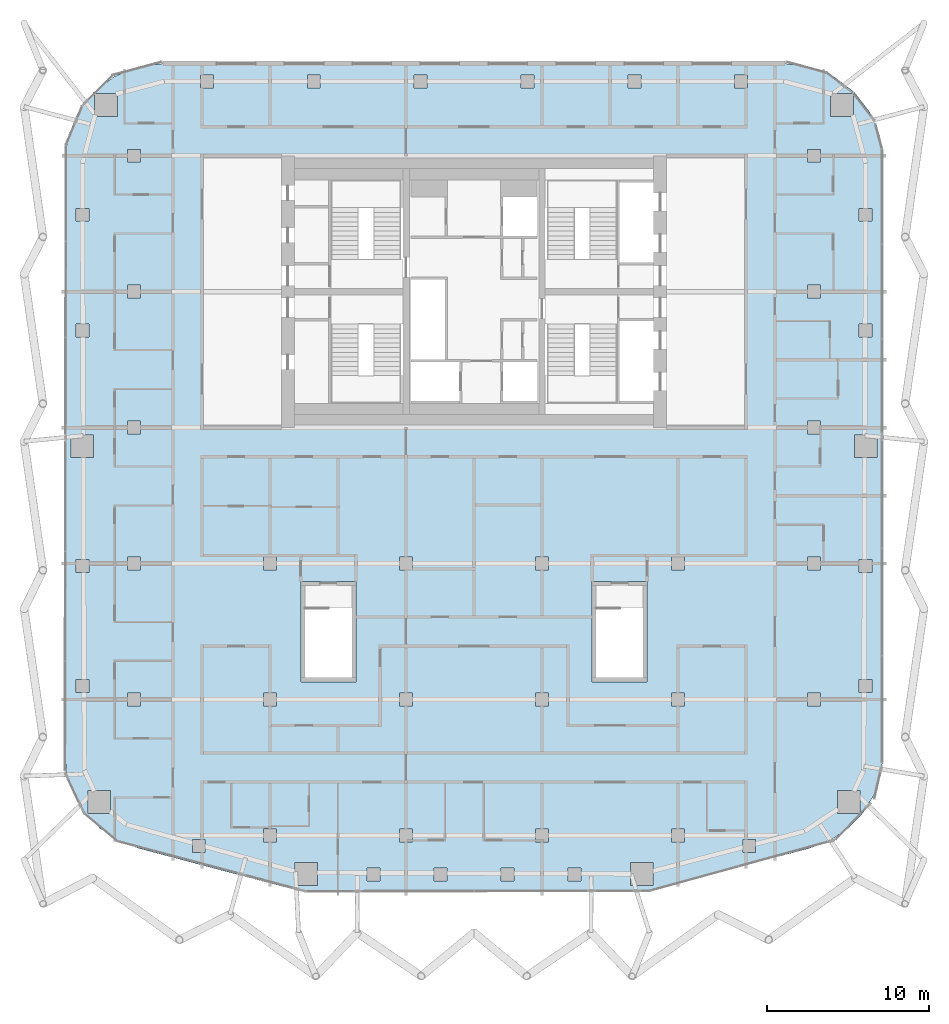
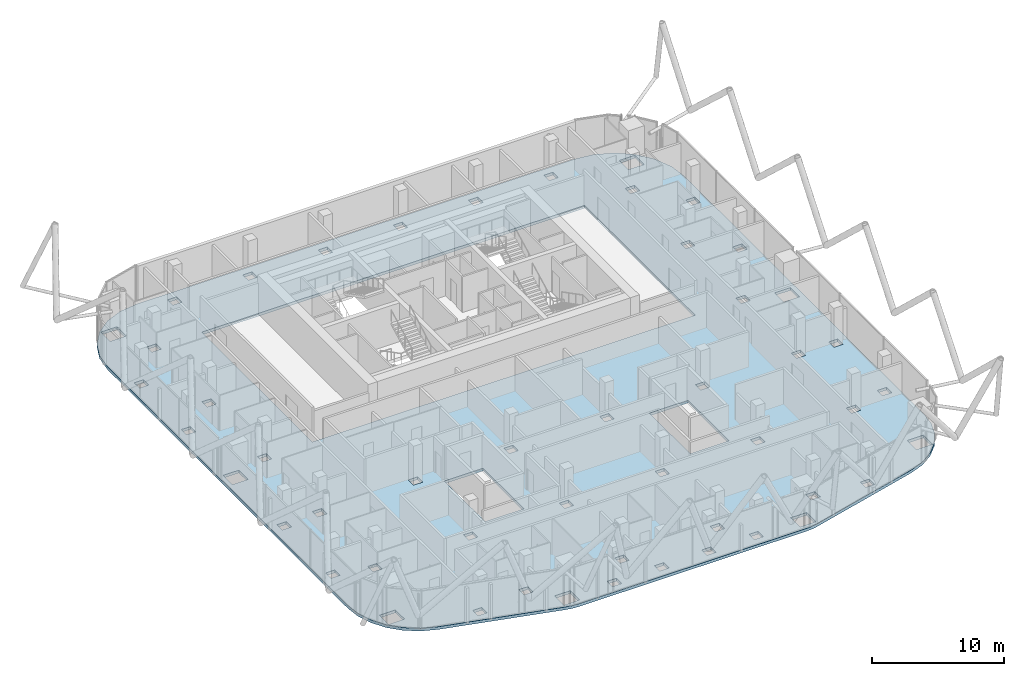
# One storey, part 19 of 33: 1 slab.
"""IFC4 building model written with IfcOpenShell, lengths in metres."""

import ifcopenshell
import ifcopenshell.guid

model = None  # the IFC model being written
_history = None  # IfcOwnerHistory: only IFC2X3 demands one
_inside = {}  # id of a spatial element -> (the spatial element, [elements in it])
_under = {}  # id of a project, library or spatial element -> (it, [spatial elements below it])
_declared = {}  # id of a project -> (the project, [libraries it declares])
_typed = {}  # id of a type object -> (the type object, [elements of that type])
_made_of = {}  # id of a material, layer set ... -> (it, [elements and type objects made of it])


def new_model(schema):
    """Start an empty IFC model of exactly this schema.

    Asked for "IFC4X3", IfcOpenShell would pick the latest addendum, in which some entities
    have other attributes; the version numbers below select the first issue.
    IFC2X3 requires an IfcOwnerHistory on every rooted entity: one is made here for all.
    """
    global model, _history
    if schema == "IFC4X3":
        model = ifcopenshell.file(schema_version=(4, 3, 0, 0))
    else:
        model = ifcopenshell.file(schema=schema)
    _inside.clear()
    _under.clear()
    _declared.clear()
    _typed.clear()
    _made_of.clear()
    _history = None
    if model.schema == "IFC2X3":
        org = make("IfcOrganization", Name="unknown")
        user = make(
            "IfcPersonAndOrganization",
            ThePerson=make("IfcPerson", FamilyName="unknown"),
            TheOrganization=org,
        )
        app = make(
            "IfcApplication",
            ApplicationDeveloper=org,
            Version="unknown",
            ApplicationFullName="unknown",
            ApplicationIdentifier="unknown",
        )
        _history = make(
            "IfcOwnerHistory",
            OwningUser=user,
            OwningApplication=app,
            ChangeAction="ADDED",
            CreationDate=0,
        )
    return model


def make(cls, **values):
    """One entity of the class cls with the attributes given. An attribute that is None is left unset."""
    return model.create_entity(
        cls, **{name: value for name, value in values.items() if value is not None}
    )


def rooted(cls, **values):
    """An entity with a GlobalId (a new one), such as an element, a storey or a relation."""
    return make(cls, GlobalId=ifcopenshell.guid.new(), OwnerHistory=_history, **values)


def si_unit(unit_type, name, prefix=None):
    """IfcSIUnit, for example si_unit("LENGTHUNIT", "METRE", prefix="MILLI")."""
    return make("IfcSIUnit", UnitType=unit_type, Prefix=prefix, Name=name)


def assignment(units):
    """IfcUnitAssignment: the units of a project."""
    return None if units is None else make("IfcUnitAssignment", Units=units)


def point(xyz):
    """IfcCartesianPoint."""
    return None if xyz is None else make("IfcCartesianPoint", Coordinates=xyz)


def direction(xyz):
    """IfcDirection."""
    return None if xyz is None else make("IfcDirection", DirectionRatios=xyz)


def frame(location, z_axis=None, x_axis=None):
    """IfcAxis2Placement3D, a coordinate frame: its origin and axes. An axis left out is left unset."""
    return make(
        "IfcAxis2Placement3D",
        Location=point(location),
        Axis=direction(z_axis),
        RefDirection=direction(x_axis),
    )


def origin():
    """The frame at (0, 0, 0) with its axes left unset."""
    return frame((0.0, 0.0, 0.0))


def place(relative_to, where):
    """IfcLocalPlacement: puts the frame where relative to a parent placement (None: the world)."""
    return make(
        "IfcLocalPlacement", PlacementRelTo=relative_to, RelativePlacement=where
    )


def context(
    kind, dimensions, precision=None, world=None, true_north=None, identifier=None
):
    """IfcGeometricRepresentationContext, for example the 3D "Model" context."""
    return make(
        "IfcGeometricRepresentationContext",
        ContextIdentifier=identifier,
        ContextType=kind,
        CoordinateSpaceDimension=dimensions,
        Precision=precision,
        WorldCoordinateSystem=world,
        TrueNorth=true_north,
    )


def subcontext(parent, identifier, kind, view, scale=None):
    """IfcGeometricRepresentationSubContext, for example "Body" below "Model"."""
    return make(
        "IfcGeometricRepresentationSubContext",
        ContextIdentifier=identifier,
        ContextType=kind,
        ParentContext=parent,
        TargetScale=scale,
        TargetView=view,
    )


def project(units=None, contexts=None):
    """IfcProject with its units and contexts."""
    return rooted(
        "IfcProject",
        Name="project",
        RepresentationContexts=contexts,
        UnitsInContext=assignment(units),
    )


def spatial(cls, under=None, at=None, **own):
    """A site, building, storey or space (cls), placed at a placement, below another one or the project."""
    s = rooted(cls, ObjectPlacement=at, **own)
    if under is not None:
        _under.setdefault(under.id(), (under, []))[1].append(s)
    return s


def polyline(points):
    """IfcPolyline through the points."""
    return make("IfcPolyline", Points=[point(p) for p in points])


def outline(outer, holes=None, kind="AREA"):
    """IfcArbitraryClosedProfileDef: a profile drawn as a closed curve; with holes, ...WithVoids."""
    if holes is None:
        return make("IfcArbitraryClosedProfileDef", ProfileType=kind, OuterCurve=outer)
    return make(
        "IfcArbitraryProfileDefWithVoids",
        ProfileType=kind,
        OuterCurve=outer,
        InnerCurves=holes,
    )


def extrude(swept, where, along, depth):
    """IfcExtrudedAreaSolid: the profile swept, set in the frame where, extruded along a direction by depth."""
    return make(
        "IfcExtrudedAreaSolid",
        SweptArea=swept,
        Position=where,
        ExtrudedDirection=direction(along),
        Depth=depth,
    )


def shape(context_of_items, identifier, shape_type, items):
    """IfcShapeRepresentation: the items that make up one representation, for example the "Body"."""
    return make(
        "IfcShapeRepresentation",
        ContextOfItems=context_of_items,
        RepresentationIdentifier=identifier,
        RepresentationType=shape_type,
        Items=items,
    )


def material(Name=None, Category=None):
    """IfcMaterial."""
    return make("IfcMaterial", Name=Name, Category=Category)


def layer(
    of_material, thickness, ventilated=None, Name=None, Category=None, Priority=None
):
    """IfcMaterialLayer: one layer of a wall or slab, of a material (None: an air gap)."""
    return make(
        "IfcMaterialLayer",
        Material=of_material,
        LayerThickness=thickness,
        IsVentilated=ventilated,
        Name=Name,
        Category=Category,
        Priority=Priority,
    )


def layer_set(layers, Name=None):
    """IfcMaterialLayerSet."""
    return make("IfcMaterialLayerSet", MaterialLayers=layers, LayerSetName=Name)


def made_of(thing, what):
    """Note that an element or type object is made of a material, layer set ...; save() writes the relation."""
    if what is not None:
        _made_of.setdefault(what.id(), (what, []))[1].append(thing)
    return thing


def type_object(cls, material=None, **own):
    """A type object (cls), such as IfcWallType, which elements share."""
    return made_of(rooted(cls, **own), material)


def element(
    cls,
    number,
    at=None,
    inside=None,
    cuts=None,
    type_object=None,
    material=None,
    context=None,
    identifier="Body",
    shape_type=None,
    held_by="IfcProductDefinitionShape",
    body=None,
    shapes=None,
    **own,
):
    """One element of the class cls, such as IfcWall. Its Tag is "e" and its number.

    at: its placement. inside: the storey or other place that contains it. cuts: it is an
    opening in that element (IfcRelVoidsElement). A single representation is given by context,
    identifier, shape_type and body (its items); several are given by shapes. held_by: the class
    of the entity that holds the representations. save() writes the other relations.
    """
    e = rooted(cls, Tag="e%d" % number, ObjectPlacement=at, **own)
    if body is not None:
        shapes = [shape(context, identifier, shape_type, body)]
    if shapes is not None:
        e.Representation = make(held_by, Representations=shapes)
    if inside is not None:
        _inside.setdefault(inside.id(), (inside, []))[1].append(e)
    if cuts is not None:
        rooted(
            "IfcRelVoidsElement", RelatingBuildingElement=cuts, RelatedOpeningElement=e
        )
    if type_object is not None:
        _typed.setdefault(type_object.id(), (type_object, []))[1].append(e)
    return made_of(e, material)


def aggregate(whole, parts):
    """IfcRelAggregates: a whole, such as a stair, and the parts it consists of."""
    return rooted("IfcRelAggregates", RelatingObject=whole, RelatedObjects=parts)


def save(model, path):
    """Write the relations noted so far, then the file.

    IfcRelAggregates (storeys below a building ...), IfcRelContainedInSpatialStructure (elements
    in a storey), IfcRelDefinesByType, IfcRelAssociatesMaterial and IfcRelDeclares: one each for
    every whole, place, type object, material and project.
    """
    for whole, parts in _under.values():
        aggregate(whole, parts)
    for where, things in _inside.values():
        rooted(
            "IfcRelContainedInSpatialStructure",
            RelatedElements=things,
            RelatingStructure=where,
        )
    for kind, things in _typed.values():
        rooted("IfcRelDefinesByType", RelatedObjects=things, RelatingType=kind)
    for what, things in _made_of.values():
        rooted("IfcRelAssociatesMaterial", RelatedObjects=things, RelatingMaterial=what)
    for by, libraries in _declared.values():
        rooted("IfcRelDeclares", RelatingContext=by, RelatedDefinitions=libraries)
    model.write(path)


model = new_model("IFC4")

# Units and contexts
model_context = context("Model", 3, precision=1e-05, world=origin(), true_north=direction((0.0, 1.0)))
body_context = subcontext(model_context, "Body", "Model", "MODEL_VIEW")
ifc_project = project(units=[si_unit("LENGTHUNIT", "METRE"), si_unit("AREAUNIT", "SQUARE_METRE"), si_unit("VOLUMEUNIT", "CUBIC_METRE"), si_unit("PLANEANGLEUNIT", "RADIAN"), si_unit("MASSUNIT", "GRAM", prefix="KILO")], contexts=[model_context])

# Site, building, storey
site_placement = place(None, origin())
site = spatial("IfcSite", under=ifc_project, at=site_placement, CompositionType="ELEMENT")
building_placement = place(site_placement, origin())
building = spatial("IfcBuilding", under=site, at=building_placement, Name="Marenta Gate Hotel Tower", CompositionType="ELEMENT")
storey_placement = place(building_placement, frame((0.0, 0.0, 248.89990234375)))
storey = spatial("IfcBuildingStorey", under=building, at=storey_placement, Name="L59", CompositionType="ELEMENT", Elevation=248.89990234375)

# Slab
ifc_material = material(Name="Concrete C35", Category="concrete")
ifc_layer = layer(ifc_material, 0.260009765625)
ifc_layer_set = layer_set([ifc_layer], Name="Concrete C35")
slab_type = type_object("IfcSlabType", Name="Concrete floor slab 260", PredefinedType="FLOOR", material=ifc_layer_set)
slab_placement = place(storey_placement, frame((0.0, 0.0, -0.260009765625)))
element("IfcSlab", 1, at=slab_placement, inside=storey, type_object=slab_type, Name="L59-SL-1", PredefinedType="FLOOR", context=body_context, shape_type="SweptSolid", body=[
    extrude(outline(polyline([(-23.11376953125, -24.76416015625), (-24.035400390625, -23.803955078125), (-24.72705078125, -22.6669921875), (-25.155517578125, -21.4072265625), (-25.300048828125, -20.08984375), (-25.300048828125, 16.406494140625), (-25.093017578125, 17.97900390625), (-24.483642578125, 19.450439453125), (-23.513916015625, 20.7138671875), (-22.25048828125, 21.68359375), (-20.779052734375, 22.29296875), (-19.20654296875, 22.5), (19.20654296875, 22.5), (20.779052734375, 22.29296875), (22.25048828125, 21.68359375), (23.513916015625, 20.7138671875), (24.483642578125, 19.450439453125), (25.093017578125, 17.97900390625), (25.300048828125, 16.406494140625), (25.300048828125, -20.08984375), (25.155517578125, -21.4072265625), (24.72705078125, -22.6669921875), (24.035400390625, -23.803955078125), (23.11376953125, -24.76416015625), (22.005859375, -25.501220703125), (20.76953125, -25.978759765625), (11.026611328125, -28.563720703125), (10.508544921875, -28.665771484375), (9.981689453125, -28.699951171875), (-9.981689453125, -28.699951171875), (-10.508544921875, -28.665771484375), (-11.026611328125, -28.563720703125), (-20.76953125, -25.978759765625), (-22.005859375, -25.501220703125), (-23.11376953125, -24.76416015625)]), holes=[polyline([(-16.800048828125, 0.0), (16.800048828125, 0.0), (16.800048828125, 16.800048828125), (-16.800048828125, 16.800048828125), (-16.800048828125, 0.0)]), polyline([(-16.606689453125, -25.439208984375), (-17.40673828125, -25.439208984375), (-17.40673828125, -26.239013671875), (-16.606689453125, -26.239013671875), (-16.606689453125, -25.439208984375)]), polyline([(-12.199951171875, -25.60009765625), (-12.199951171875, -24.800048828125), (-13.0, -24.800048828125), (-13.0, -25.60009765625), (-12.199951171875, -25.60009765625)]), polyline([(-22.462890625, -23.8330078125), (-22.462890625, -22.43310546875), (-23.863037109375, -22.43310546875), (-23.863037109375, -23.8330078125), (-22.462890625, -23.8330078125)]), polyline([(-12.199951171875, -16.39990234375), (-13.0, -16.39990234375), (-13.0, -17.199951171875), (-12.199951171875, -17.199951171875), (-12.199951171875, -16.39990234375)]), polyline([(-20.60009765625, -17.199951171875), (-20.60009765625, -16.39990234375), (-21.39990234375, -16.39990234375), (-21.39990234375, -17.199951171875), (-20.60009765625, -17.199951171875)]), polyline([(-23.800048828125, -16.351806640625), (-23.800048828125, -15.552001953125), (-24.60009765625, -15.552001953125), (-24.60009765625, -16.351806640625), (-23.800048828125, -16.351806640625)]), polyline([(-23.800048828125, -8.15087890625), (-24.60009765625, -8.15087890625), (-24.60009765625, -8.950927734375), (-23.800048828125, -8.950927734375), (-23.800048828125, -8.15087890625)]), polyline([(-12.199951171875, -8.800048828125), (-12.199951171875, -8.0), (-13.0, -8.0), (-13.0, -8.800048828125), (-12.199951171875, -8.800048828125)]), polyline([(-20.60009765625, -8.800048828125), (-20.60009765625, -8.0), (-21.39990234375, -8.0), (-21.39990234375, -8.800048828125), (-20.60009765625, -8.800048828125)]), polyline([(-23.5, -0.449951171875), (-24.89990234375, -0.449951171875), (-24.89990234375, -1.85009765625), (-23.5, -1.85009765625), (-23.5, -0.449951171875)]), polyline([(-20.60009765625, -0.39990234375), (-20.60009765625, 0.39990234375), (-21.39990234375, 0.39990234375), (-21.39990234375, -0.39990234375), (-20.60009765625, -0.39990234375)]), polyline([(-23.800048828125, 5.603271484375), (-23.800048828125, 6.4033203125), (-24.60009765625, 6.4033203125), (-24.60009765625, 5.603271484375), (-23.800048828125, 5.603271484375)]), polyline([(-20.60009765625, 8.800048828125), (-21.39990234375, 8.800048828125), (-21.39990234375, 8.0), (-20.60009765625, 8.0), (-20.60009765625, 8.800048828125)]), polyline([(-23.800048828125, 12.75634765625), (-23.800048828125, 13.556396484375), (-24.60009765625, 13.556396484375), (-24.60009765625, 12.75634765625), (-23.800048828125, 12.75634765625)]), polyline([(-20.60009765625, 16.39990234375), (-20.60009765625, 17.199951171875), (-21.39990234375, 17.199951171875), (-21.39990234375, 16.39990234375), (-20.60009765625, 16.39990234375)]), polyline([(-22.035400390625, 20.635498046875), (-23.435546875, 20.635498046875), (-23.435546875, 19.235595703125), (-22.035400390625, 19.235595703125), (-22.035400390625, 20.635498046875)]), polyline([(-16.10693359375, 21.0), (-16.10693359375, 21.800048828125), (-16.906982421875, 21.800048828125), (-16.906982421875, 21.0), (-16.10693359375, 21.0)]), polyline([(-5.820068359375, -28.0), (-5.820068359375, -27.199951171875), (-6.6201171875, -27.199951171875), (-6.6201171875, -28.0), (-5.820068359375, -28.0)]), polyline([(6.6201171875, -27.199951171875), (5.820068359375, -27.199951171875), (5.820068359375, -28.0), (6.6201171875, -28.0), (6.6201171875, -27.199951171875)]), polyline([(2.473388671875, -28.0), (2.473388671875, -27.199951171875), (1.67333984375, -27.199951171875), (1.67333984375, -28.0), (2.473388671875, -28.0)]), polyline([(-1.67333984375, -28.0), (-1.67333984375, -27.199951171875), (-2.473388671875, -27.199951171875), (-2.473388671875, -28.0), (-1.67333984375, -28.0)]), polyline([(-9.666259765625, -28.27490234375), (-9.666259765625, -26.874755859375), (-11.06640625, -26.874755859375), (-11.06640625, -28.27490234375), (-9.666259765625, -28.27490234375)]), polyline([(11.06640625, -28.27490234375), (11.06640625, -26.874755859375), (9.666259765625, -26.874755859375), (9.666259765625, -28.27490234375), (11.06640625, -28.27490234375)]), polyline([(13.0, -25.60009765625), (13.0, -24.800048828125), (12.199951171875, -24.800048828125), (12.199951171875, -25.60009765625), (13.0, -25.60009765625)]), polyline([(4.60009765625, -25.60009765625), (4.60009765625, -24.800048828125), (3.800048828125, -24.800048828125), (3.800048828125, -25.60009765625), (4.60009765625, -25.60009765625)]), polyline([(-3.800048828125, -24.800048828125), (-4.60009765625, -24.800048828125), (-4.60009765625, -25.60009765625), (-3.800048828125, -25.60009765625), (-3.800048828125, -24.800048828125)]), polyline([(4.60009765625, -17.199951171875), (4.60009765625, -16.39990234375), (3.800048828125, -16.39990234375), (3.800048828125, -17.199951171875), (4.60009765625, -17.199951171875)]), polyline([(-3.800048828125, -17.199951171875), (-3.800048828125, -16.39990234375), (-4.60009765625, -16.39990234375), (-4.60009765625, -17.199951171875), (-3.800048828125, -17.199951171875)]), polyline([(4.60009765625, -8.0), (3.800048828125, -8.0), (3.800048828125, -8.800048828125), (4.60009765625, -8.800048828125), (4.60009765625, -8.0)]), polyline([(-3.800048828125, -8.800048828125), (-3.800048828125, -8.0), (-4.60009765625, -8.0), (-4.60009765625, -8.800048828125), (-3.800048828125, -8.800048828125)]), polyline([(-2.9013671875, 21.0), (-2.9013671875, 21.800048828125), (-3.701416015625, 21.800048828125), (-3.701416015625, 21.0), (-2.9013671875, 21.0)]), polyline([(3.701416015625, 21.800048828125), (2.9013671875, 21.800048828125), (2.9013671875, 21.0), (3.701416015625, 21.0), (3.701416015625, 21.800048828125)]), polyline([(10.30419921875, 21.0), (10.30419921875, 21.800048828125), (9.504150390625, 21.800048828125), (9.504150390625, 21.0), (10.30419921875, 21.0)]), polyline([(-9.504150390625, 21.0), (-9.504150390625, 21.800048828125), (-10.30419921875, 21.800048828125), (-10.30419921875, 21.0), (-9.504150390625, 21.0)]), polyline([(17.40673828125, -25.439208984375), (16.606689453125, -25.439208984375), (16.606689453125, -26.239013671875), (17.40673828125, -26.239013671875), (17.40673828125, -25.439208984375)]), polyline([(23.863037109375, -23.8330078125), (23.863037109375, -22.43310546875), (22.462890625, -22.43310546875), (22.462890625, -23.8330078125), (23.863037109375, -23.8330078125)]), polyline([(13.0, -17.199951171875), (13.0, -16.39990234375), (12.199951171875, -16.39990234375), (12.199951171875, -17.199951171875), (13.0, -17.199951171875)]), polyline([(21.39990234375, -16.39990234375), (20.60009765625, -16.39990234375), (20.60009765625, -17.199951171875), (21.39990234375, -17.199951171875), (21.39990234375, -16.39990234375)]), polyline([(24.60009765625, -16.351806640625), (24.60009765625, -15.552001953125), (23.800048828125, -15.552001953125), (23.800048828125, -16.351806640625), (24.60009765625, -16.351806640625)]), polyline([(24.60009765625, -8.950927734375), (24.60009765625, -8.15087890625), (23.800048828125, -8.15087890625), (23.800048828125, -8.950927734375), (24.60009765625, -8.950927734375)]), polyline([(13.0, -8.0), (12.199951171875, -8.0), (12.199951171875, -8.800048828125), (13.0, -8.800048828125), (13.0, -8.0)]), polyline([(21.39990234375, -8.800048828125), (21.39990234375, -8.0), (20.60009765625, -8.0), (20.60009765625, -8.800048828125), (21.39990234375, -8.800048828125)]), polyline([(24.89990234375, -1.85009765625), (24.89990234375, -0.449951171875), (23.5, -0.449951171875), (23.5, -1.85009765625), (24.89990234375, -1.85009765625)]), polyline([(21.39990234375, 0.39990234375), (20.60009765625, 0.39990234375), (20.60009765625, -0.39990234375), (21.39990234375, -0.39990234375), (21.39990234375, 0.39990234375)]), polyline([(24.60009765625, 5.603271484375), (24.60009765625, 6.4033203125), (23.800048828125, 6.4033203125), (23.800048828125, 5.603271484375), (24.60009765625, 5.603271484375)]), polyline([(21.39990234375, 8.0), (21.39990234375, 8.800048828125), (20.60009765625, 8.800048828125), (20.60009765625, 8.0), (21.39990234375, 8.0)]), polyline([(24.60009765625, 12.75634765625), (24.60009765625, 13.556396484375), (23.800048828125, 13.556396484375), (23.800048828125, 12.75634765625), (24.60009765625, 12.75634765625)]), polyline([(21.39990234375, 16.39990234375), (21.39990234375, 17.199951171875), (20.60009765625, 17.199951171875), (20.60009765625, 16.39990234375), (21.39990234375, 16.39990234375)]), polyline([(23.435546875, 19.235595703125), (23.435546875, 20.635498046875), (22.035400390625, 20.635498046875), (22.035400390625, 19.235595703125), (23.435546875, 19.235595703125)]), polyline([(16.906982421875, 21.0), (16.906982421875, 21.800048828125), (16.10693359375, 21.800048828125), (16.10693359375, 21.0), (16.906982421875, 21.0)]), polyline([(-7.300048828125, -15.699951171875), (-7.300048828125, -9.5), (-10.699951171875, -9.5), (-10.699951171875, -15.699951171875), (-7.300048828125, -15.699951171875)]), polyline([(10.699951171875, -15.699951171875), (10.699951171875, -9.5), (7.300048828125, -9.5), (7.300048828125, -15.699951171875), (10.699951171875, -15.699951171875)])]), origin(), (0.0, 0.0, 1.0), 0.260009765625),
])

save(model, "model.ifc")
